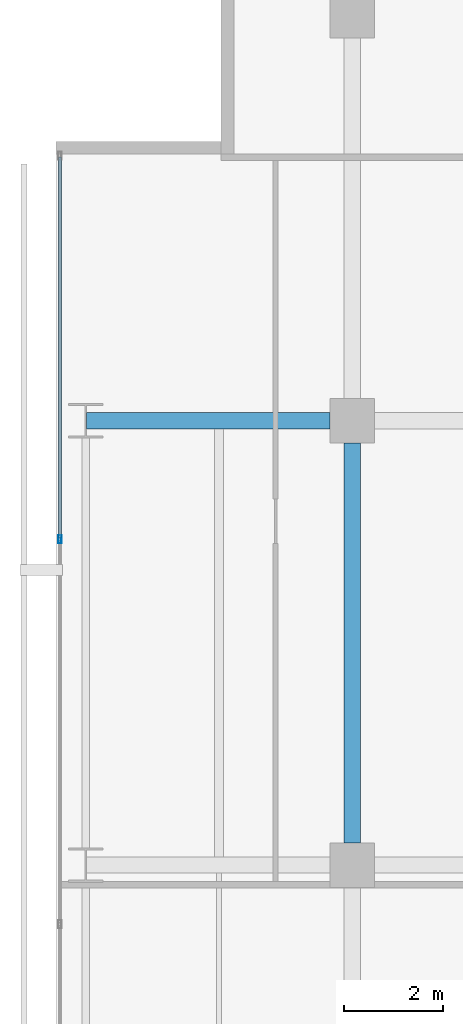
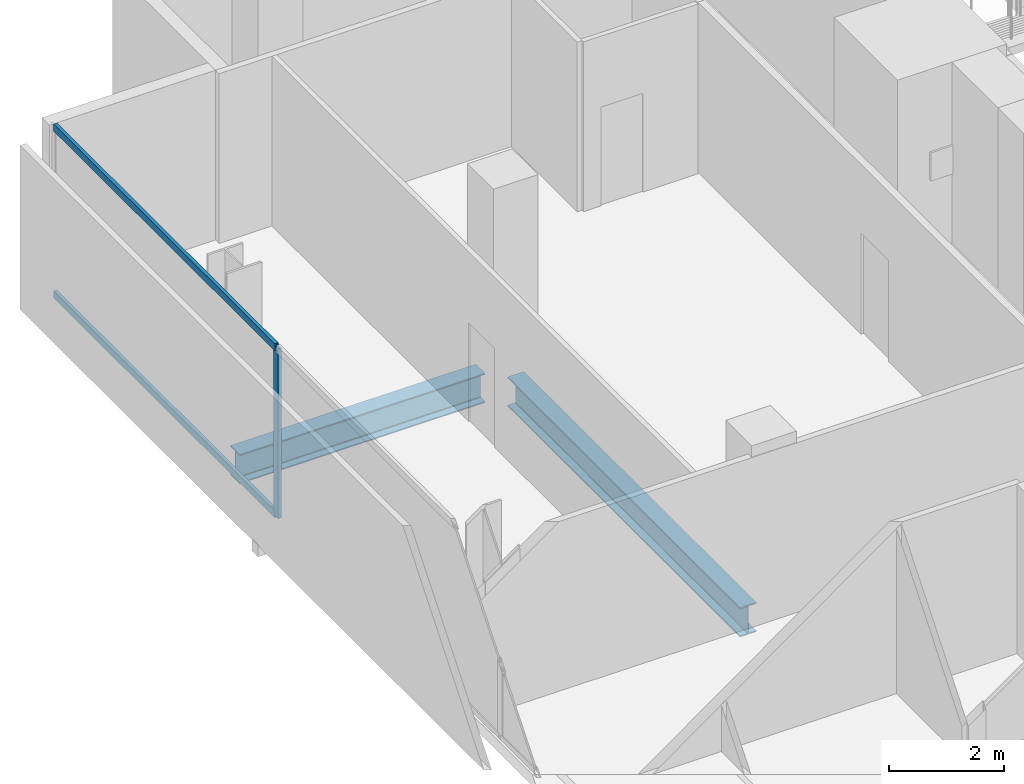
# One storey, part 23 of 39: 3 members, 2 beams, 1 element without a shape of its own.
"""IFC4 building model written with IfcOpenShell, lengths in metres."""

from ifc_helpers import new_model, si_unit, direction, frame, origin, origin_2d, place, context, subcontext, project, spatial, hollow_rectangle, i_section, extrude, material, layer, layer_set, material_profile, profile_set, type_object, element, aggregate, save


model = new_model("IFC4")

# Units and contexts
model_context = context("Model", 3, precision=1e-05, world=origin(), true_north=direction((0.0, 1.0)))
body_context = subcontext(model_context, "Body", "Model", "MODEL_VIEW")
ifc_project = project(units=[si_unit("LENGTHUNIT", "METRE"), si_unit("AREAUNIT", "SQUARE_METRE"), si_unit("VOLUMEUNIT", "CUBIC_METRE"), si_unit("PLANEANGLEUNIT", "RADIAN"), si_unit("MASSUNIT", "GRAM", prefix="KILO")], contexts=[model_context])

# Site, building, storey
site_placement = place(None, origin())
site = spatial("IfcSite", under=ifc_project, at=site_placement, CompositionType="ELEMENT")
building_placement = place(site_placement, origin())
building = spatial("IfcBuilding", under=site, at=building_placement, Name="Maruvema Waterfront Hotel and Observation Tower", CompositionType="ELEMENT")
storey_placement = place(building_placement, frame((0.0, 0.0, 69.300048828125)))
storey = spatial("IfcBuildingStorey", under=building, at=storey_placement, Name="L16", CompositionType="ELEMENT", Elevation=69.300048828125)

# Curtain wall, members
ifc_material_1 = material(Name="Anodised bronze aluminium and solar-control low-E IGU", Category="aluminium")
ifc_layer = layer(ifc_material_1, 0.159912109375, Name="Zone 1 Bronze Inner Thermal Curtain Wall System CW-02")
ifc_layer_set = layer_set([ifc_layer], Name="Anodised bronze aluminium and solar-control low-E IGU")
curtain_wall_type = type_object("IfcCurtainWallType", Name="Zone 1 Bronze Inner Thermal Curtain Wall System CW-02", PredefinedType="USERDEFINED", material=ifc_layer_set)
curtain_wall_placement = place(storey_placement, origin())
curtain_wall = element("IfcCurtainWall", 1, at=curtain_wall_placement, inside=storey, type_object=curtain_wall_type, Name="L16 Curtain Wall CW-L16-W", ObjectType="UNITISED CURTAIN WALL", PredefinedType="USERDEFINED")
ifc_material_2 = material(Name="Anodised architectural bronze aluminium", Category="aluminium")
ifc_material_profile_1 = material_profile(ifc_material_2, hollow_rectangle(XDim=0.070068359375, YDim=0.14990234375, WallThickness=0.00390625, at=origin_2d()), Name="ALU-T70x150")
ifc_profile_set_1 = profile_set([ifc_material_profile_1], Name="Anodised architectural bronze aluminium")
member_type_1 = type_object("IfcMemberType", Name="Curtain Wall Horizontal Transom ALU-T70x150", PredefinedType="USERDEFINED", material=ifc_profile_set_1)
member_1_placement = place(storey_placement, frame((10.8798828125, 50.340087890625, 0.030029296875), z_axis=(0.0, -1.0, 0.0), x_axis=(1.0, 0.0, 0.0)))
member_1 = element("IfcMember", 2, at=member_1_placement, type_object=member_type_1, Name="CW-02 transom 1.1", ObjectType="TRANSOM", PredefinedType="USERDEFINED", context=body_context, shape_type="SweptSolid", body=[
    extrude(hollow_rectangle(XDim=0.070068359375, YDim=0.14990234375, WallThickness=0.00390625, at=origin_2d()), origin(), (0.0, 0.0, 1.0), 7.710205078125),
])
member_2_placement = place(storey_placement, frame((10.8798828125, 50.340087890625, 3.579833984375), z_axis=(0.0, -1.0, 0.0), x_axis=(1.0, 0.0, 0.0)))
member_2 = element("IfcMember", 3, at=member_2_placement, type_object=member_type_1, Name="CW-02 transom 1.2", ObjectType="TRANSOM", PredefinedType="USERDEFINED", context=body_context, shape_type="SweptSolid", body=[
    extrude(hollow_rectangle(XDim=0.070068359375, YDim=0.14990234375, WallThickness=0.00390625, at=origin_2d()), origin(), (0.0, 0.0, 1.0), 7.710205078125),
])
ifc_material_3 = material(Name="Anodised architectural bronze aluminium", Category="aluminium")
ifc_material_profile_2 = material_profile(ifc_material_3, hollow_rectangle(XDim=0.06494140625, YDim=0.1650390625, WallThickness=0.00390625, at=origin_2d()), Name="ALU-M65x165")
ifc_profile_set_2 = profile_set([ifc_material_profile_2], Name="Anodised architectural bronze aluminium")
member_type_2 = type_object("IfcMemberType", Name="Curtain Wall Primary Mullion ALU-M65x165", PredefinedType="MULLION", material=ifc_profile_set_2)
member_3_placement = place(storey_placement, frame((10.8798828125, 42.60009765625, 0.0), z_axis=(0.0, 0.0, 1.0), x_axis=(1.0, 0.0, 0.0)))
member_3 = element("IfcMember", 4, at=member_3_placement, type_object=member_type_2, Name="CW-02 mullion 2", PredefinedType="MULLION", context=body_context, shape_type="SweptSolid", body=[
    extrude(hollow_rectangle(XDim=0.06494140625, YDim=0.1650390625, WallThickness=0.00390625, at=origin_2d()), origin(), (0.0, 0.0, 1.0), 3.60986328125),
])
aggregate(curtain_wall, [member_3, member_1, member_2])

# Beams
ifc_material_4 = material(Name="Steel ASTM A572 Grade 50", Category="steel")
ifc_material_profile_3 = material_profile(ifc_material_4, i_section(OverallWidth=0.326904296875, OverallDepth=0.6220703125, WebThickness=0.015380859375, FlangeThickness=0.0244140625, FilletRadius=0.01806640625, at=origin_2d()), Name="W610x195.0")
ifc_profile_set_3 = profile_set([ifc_material_profile_3], Name="Steel ASTM A572 Grade 50")
beam_type = type_object("IfcBeamType", Name="Primary Floor Girder W610x195.0", PredefinedType="BEAM", material=ifc_profile_set_3)
beam_1_placement = place(storey_placement, frame((11.4140625, 45.0, -0.551025390625), z_axis=(1.0, 0.0, 0.0), x_axis=(0.0, 1.0, 0.0)))
element("IfcBeam", 5, at=beam_1_placement, inside=storey, type_object=beam_type, Name="L16 Floor Girder EW-32", PredefinedType="BEAM", context=body_context, shape_type="SweptSolid", body=[
    extrude(i_section(OverallWidth=0.326904296875, OverallDepth=0.6220703125, WebThickness=0.015380859375, FlangeThickness=0.0244140625, FilletRadius=0.01806640625, at=origin_2d()), origin(), (0.0, 0.0, 1.0), 4.93603515625),
])
beam_2_placement = place(storey_placement, frame((16.800048828125, 36.449951171875, -0.551025390625), z_axis=(0.0, 1.0, 0.0), x_axis=(-1.0, 0.0, 0.0)))
element("IfcBeam", 6, at=beam_2_placement, inside=storey, type_object=beam_type, Name="L16 Floor Girder NS-09", PredefinedType="BEAM", context=body_context, shape_type="SweptSolid", body=[
    extrude(i_section(OverallWidth=0.326904296875, OverallDepth=0.6220703125, WebThickness=0.015380859375, FlangeThickness=0.0244140625, FilletRadius=0.01806640625, at=origin_2d()), origin(), (0.0, 0.0, 1.0), 8.10009765625),
])

save(model, "model.ifc")
